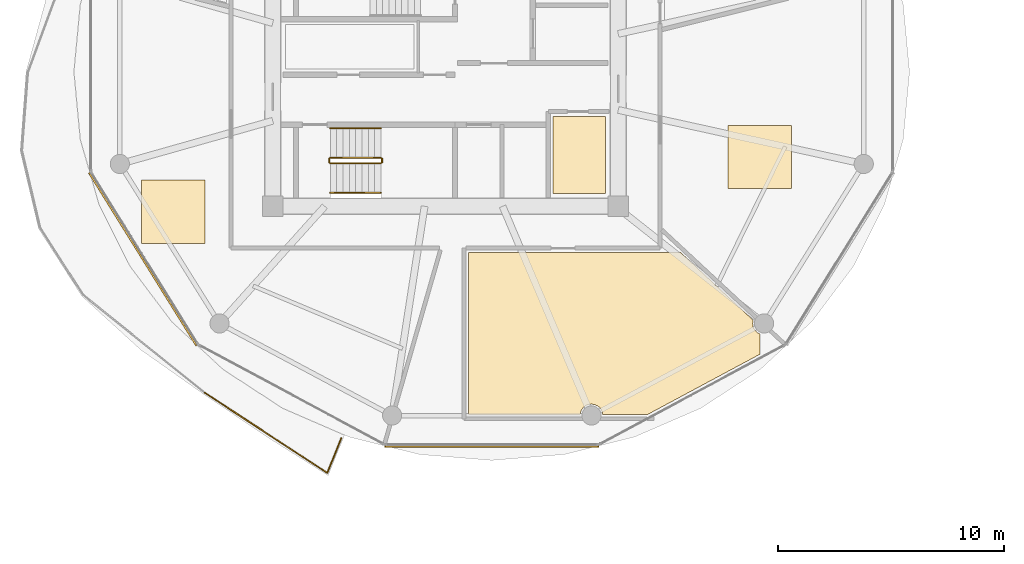
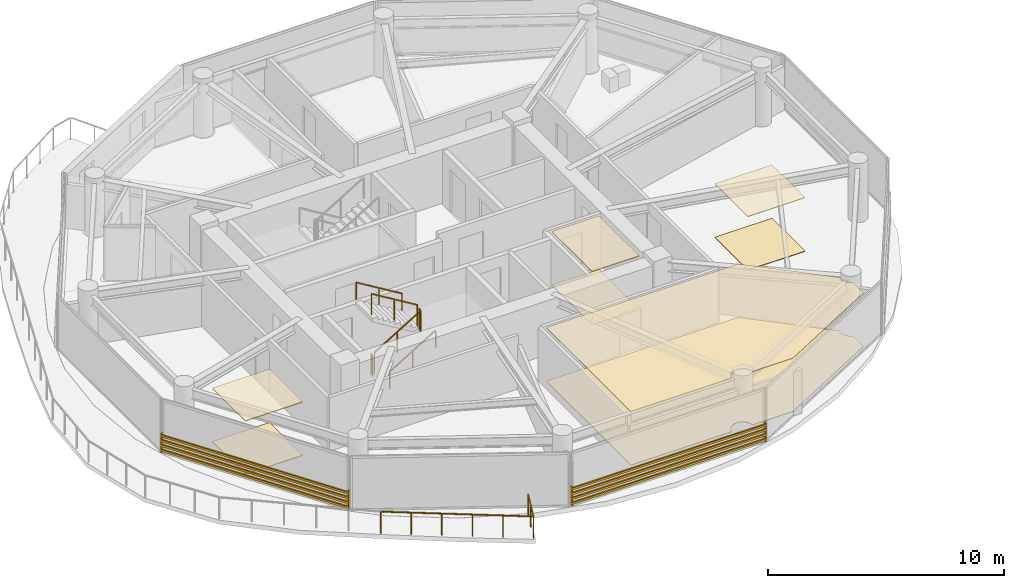
# One storey, part 19 of 25: 8 coverings, 7 railings, 2 shading devices.
"""IFC4 building model written with IfcOpenShell, lengths in metres."""

from ifc_helpers import new_model, si_unit, direction, frame, origin, origin_2d, place, context, subcontext, project, spatial, polyline, rectangle, outline, extrude, source, transform, mapped, material, layer, layer_set, type_object, type_shapes, element, save


model = new_model("IFC4")

# Units and contexts
model_context = context("Model", 3, precision=1e-05, world=origin(), true_north=direction((0.0, 1.0)))
body_context = subcontext(model_context, "Body", "Model", "MODEL_VIEW")
ifc_project = project(units=[si_unit("LENGTHUNIT", "METRE"), si_unit("AREAUNIT", "SQUARE_METRE"), si_unit("VOLUMEUNIT", "CUBIC_METRE"), si_unit("PLANEANGLEUNIT", "RADIAN"), si_unit("MASSUNIT", "GRAM", prefix="KILO")], contexts=[model_context])

# Site, building, storey
site_placement = place(None, origin())
site = spatial("IfcSite", under=ifc_project, at=site_placement, CompositionType="ELEMENT")
building_placement = place(site_placement, origin())
building = spatial("IfcBuilding", under=site, at=building_placement, Name="Norrkilde Senior Care Towers", CompositionType="ELEMENT")
storey_placement = place(building_placement, frame((0.0, 0.0, 99.300048828125)))
storey = spatial("IfcBuildingStorey", under=building, at=storey_placement, Name="L30", CompositionType="ELEMENT", Elevation=99.300048828125)

# Coverings
ifc_material_1 = material(Name="Nordic Ash Timber", Category="wood")
ifc_layer_1 = layer(ifc_material_1, 0.044921875)
ifc_layer_set_1 = layer_set([ifc_layer_1], Name="Nordic Ash Timber")
covering_type_1 = type_object("IfcCoveringType", Name="Acoustic Ash Timber Slatted Ceiling 45", PredefinedType="CEILING", material=ifc_layer_set_1)
covering_1_placement = place(storey_placement, frame((0.0, 0.0, 2.744873046875)))
element("IfcCovering", 1, at=covering_1_placement, inside=storey, type_object=covering_type_1, Name="L30 Suspended Ceiling 0246", PredefinedType="CEILING", context=body_context, shape_type="SweptSolid", body=[
    extrude(outline(polyline([(-23.22998046875, -5.3798828125), (-23.22998046875, -1.969970703125), (-20.919921875, -1.969970703125), (-20.919921875, -5.3798828125), (-23.22998046875, -5.3798828125)])), origin(), (0.0, 0.0, 1.0), 0.045166015625),
])
covering_2_placement = place(storey_placement, frame((0.0, 0.0, 2.744873046875)))
element("IfcCovering", 2, at=covering_2_placement, inside=storey, type_object=covering_type_1, Name="L30 Suspended Ceiling 0249", PredefinedType="CEILING", context=body_context, shape_type="SweptSolid", body=[
    extrude(outline(polyline([(-19.053466796875, -15.169921875), (-21.037841796875, -15.169921875), (-21.04931640625, -15.08251953125), (-21.099853515625, -14.9609375), (-21.179931640625, -14.856201171875), (-21.28466796875, -14.77587890625), (-21.406494140625, -14.7255859375), (-21.537109375, -14.708251953125), (-21.667724609375, -14.7255859375), (-21.78955078125, -14.77587890625), (-21.894287109375, -14.856201171875), (-21.974365234375, -14.9609375), (-22.02490234375, -15.08251953125), (-22.036376953125, -15.169921875), (-26.97998046875, -15.169921875), (-26.97998046875, -8.0), (-17.579345703125, -8.0), (-14.377685546875, -10.9970703125), (-14.381591796875, -11.00634765625), (-14.39892578125, -11.136962890625), (-14.381591796875, -11.267578125), (-14.3310546875, -11.389404296875), (-14.2509765625, -11.494140625), (-14.146240234375, -11.57421875), (-14.070068359375, -11.60595703125), (-14.070068359375, -12.496826171875), (-19.053466796875, -15.169921875)])), origin(), (0.0, 0.0, 1.0), 0.045166015625),
])
covering_3_placement = place(storey_placement, frame((0.0, 0.0, 2.744873046875)))
element("IfcCovering", 3, at=covering_3_placement, inside=storey, type_object=covering_type_1, Name="L30 Suspended Ceiling 0252", PredefinedType="CEILING", context=body_context, shape_type="SweptSolid", body=[
    extrude(outline(polyline([(-41.458740234375, -7.5908203125), (-41.458740234375, -4.790771484375), (-38.65869140625, -4.790771484375), (-38.65869140625, -7.5908203125), (-41.458740234375, -7.5908203125)])), origin(), (0.0, 0.0, 1.0), 0.045166015625),
])

# Railing
ifc_material_2 = material(Name="Anodised Aluminium", Category="aluminium")
railing_type_1 = type_object("IfcRailingType", Name="Balcony Swirl Ribbon Guardrail 1150", PredefinedType="GUARDRAIL", material=ifc_material_2)
railing_1_placement = place(storey_placement, frame((-32.609375, -16.21484375, 0.0)))
element("IfcRailing", 4, at=railing_1_placement, inside=storey, type_object=railing_type_1, Name="L30 Perimeter Safety Guard 04", PredefinedType="GUARDRAIL", context=body_context, shape_type="SweptSolid", body=[
    extrude(rectangle(XDim=0.048095703125, YDim=0.048095703125, at=origin_2d()), frame((0.0, 0.0, 1.1259765625), z_axis=(-0.37572217576, -0.926732348978, 0.0), x_axis=(0.926732348978, -0.37572217576, 0.0)), (0.0, 0.0, 1.0), 1.619384765625),
    extrude(rectangle(XDim=0.048095703125, YDim=0.048095703125, at=origin_2d()), frame((-0.657958984375, -1.51611328125, 1.1259765625), z_axis=(-0.837198648606, 0.546898914583, 0.0), x_axis=(-0.546898914583, -0.837198648606, 0.0)), (0.0, 0.0, 1.0), 6.435546875),
    extrude(rectangle(XDim=0.0419921875, YDim=0.0419921875, at=origin_2d()), origin(), (0.0, 0.0, 1.0), 1.099853515625),
    extrude(rectangle(XDim=0.0419921875, YDim=0.0419921875, at=origin_2d()), frame((-0.31201171875, -0.769287109375, 0.0)), (0.0, 0.0, 1.0), 1.099853515625),
    extrude(rectangle(XDim=0.0419921875, YDim=0.0419921875, at=origin_2d()), frame((-0.623779296875, -1.53857421875, 0.0)), (0.0, 0.0, 1.0), 1.099853515625),
    extrude(rectangle(XDim=0.0419921875, YDim=0.0419921875, at=origin_2d()), frame((-1.708251953125, -0.830078125, 0.0)), (0.0, 0.0, 1.0), 1.099853515625),
    extrude(rectangle(XDim=0.0419921875, YDim=0.0419921875, at=origin_2d()), frame((-2.792724609375, -0.121826171875, 0.0)), (0.0, 0.0, 1.0), 1.099853515625),
    extrude(rectangle(XDim=0.0419921875, YDim=0.0419921875, at=origin_2d()), frame((-3.876953125, 0.586669921875, 0.0)), (0.0, 0.0, 1.0), 1.099853515625),
    extrude(rectangle(XDim=0.0419921875, YDim=0.0419921875, at=origin_2d()), frame((-4.96142578125, 1.294921875, 0.0)), (0.0, 0.0, 1.0), 1.099853515625),
    extrude(rectangle(XDim=0.0419921875, YDim=0.0419921875, at=origin_2d()), frame((-6.0458984375, 2.00341796875, 0.0)), (0.0, 0.0, 1.0), 1.099853515625),
])

# Coverings
ifc_material_3 = material(Name="Gypsum Acoustic Board")
ifc_layer_2 = layer(ifc_material_3, 0.030029296875)
ifc_layer_set_2 = layer_set([ifc_layer_2], Name="Gypsum Acoustic Board")
covering_type_2 = type_object("IfcCoveringType", Name="Medical Cleanable Gypsum Ceiling 30", PredefinedType="CEILING", material=ifc_layer_set_2)
covering_4_placement = place(storey_placement, frame((0.0, 0.0, 2.760009765625)))
element("IfcCovering", 5, at=covering_4_placement, inside=storey, type_object=covering_type_2, Name="L30 Suspended Ceiling 0253", PredefinedType="CEILING", context=body_context, shape_type="SweptSolid", body=[
    extrude(outline(polyline([(-15.489013671875, -5.171630859375), (-15.489013671875, -2.37158203125), (-12.689208984375, -2.37158203125), (-12.689208984375, -5.171630859375), (-15.489013671875, -5.171630859375)])), origin(), (0.0, 0.0, 1.0), 0.030029296875),
])
ifc_material_4 = material(Name="Slip-Resistant Porcelain Stone", Category="masonry")
ifc_layer_3 = layer(ifc_material_4, 0.02490234375)
ifc_layer_set_3 = layer_set([ifc_layer_3], Name="Slip-Resistant Porcelain Stone")
covering_type_3 = type_object("IfcCoveringType", Name="Slip-Resistant Porcelain Flooring 25", PredefinedType="FLOORING", material=ifc_layer_set_3)
covering_5_placement = place(storey_placement, origin())
element("IfcCovering", 6, at=covering_5_placement, inside=storey, type_object=covering_type_3, Name="L30 Floor Finish 0246", PredefinedType="FLOORING", context=body_context, shape_type="SweptSolid", body=[
    extrude(outline(polyline([(-23.22998046875, -5.3798828125), (-23.22998046875, -1.969970703125), (-20.919921875, -1.969970703125), (-20.919921875, -5.3798828125), (-23.22998046875, -5.3798828125)])), origin(), (0.0, 0.0, 1.0), 0.02490234375),
])
covering_6_placement = place(storey_placement, origin())
element("IfcCovering", 7, at=covering_6_placement, inside=storey, type_object=covering_type_3, Name="L30 Floor Finish 0249", PredefinedType="FLOORING", context=body_context, shape_type="SweptSolid", body=[
    extrude(outline(polyline([(-19.053466796875, -15.169921875), (-21.037841796875, -15.169921875), (-21.04931640625, -15.08251953125), (-21.099853515625, -14.9609375), (-21.179931640625, -14.856201171875), (-21.28466796875, -14.77587890625), (-21.406494140625, -14.7255859375), (-21.537109375, -14.708251953125), (-21.667724609375, -14.7255859375), (-21.78955078125, -14.77587890625), (-21.894287109375, -14.856201171875), (-21.974365234375, -14.9609375), (-22.02490234375, -15.08251953125), (-22.036376953125, -15.169921875), (-26.97998046875, -15.169921875), (-26.97998046875, -8.0), (-17.579345703125, -8.0), (-14.377685546875, -10.9970703125), (-14.381591796875, -11.00634765625), (-14.39892578125, -11.136962890625), (-14.381591796875, -11.267578125), (-14.3310546875, -11.389404296875), (-14.2509765625, -11.494140625), (-14.146240234375, -11.57421875), (-14.070068359375, -11.60595703125), (-14.070068359375, -12.496826171875), (-19.053466796875, -15.169921875)])), origin(), (0.0, 0.0, 1.0), 0.02490234375),
])
covering_7_placement = place(storey_placement, origin())
element("IfcCovering", 8, at=covering_7_placement, inside=storey, type_object=covering_type_3, Name="L30 Floor Finish 0252", PredefinedType="FLOORING", context=body_context, shape_type="SweptSolid", body=[
    extrude(outline(polyline([(-41.458740234375, -7.5908203125), (-41.458740234375, -4.790771484375), (-38.65869140625, -4.790771484375), (-38.65869140625, -7.5908203125), (-41.458740234375, -7.5908203125)])), origin(), (0.0, 0.0, 1.0), 0.02490234375),
])
covering_8_placement = place(storey_placement, origin())
element("IfcCovering", 9, at=covering_8_placement, inside=storey, type_object=covering_type_3, Name="L30 Floor Finish 0253", PredefinedType="FLOORING", context=body_context, shape_type="SweptSolid", body=[
    extrude(outline(polyline([(-15.489013671875, -5.171630859375), (-15.489013671875, -2.37158203125), (-12.689208984375, -2.37158203125), (-12.689208984375, -5.171630859375), (-15.489013671875, -5.171630859375)])), origin(), (0.0, 0.0, 1.0), 0.02490234375),
])

# Railings
ifc_material_5 = material(Name="Stainless Steel", Category="steel")
railing_type_2 = type_object("IfcRailingType", Name="Stair and Terrace Guardrail 1100", PredefinedType="GUARDRAIL", material=ifc_material_5)
railing_2_placement = place(storey_placement, frame((-33.10009765625, -4.050048828125, 0.16943359375)))
element("IfcRailing", 10, at=railing_2_placement, inside=storey, type_object=railing_type_2, Name="L30 ST-W2 stair guard 1", PredefinedType="GUARDRAIL", context=body_context, shape_type="SweptSolid", body=[
    extrude(rectangle(XDim=0.048095703125, YDim=0.048095703125, at=origin_2d()), frame((0.0, 0.0, 1.076171875), z_axis=(0.855553338991, 0.0, 0.51771467445), x_axis=(0.0, 1.0, 0.0)), (0.0, 0.0, 1.0), 2.6181640625),
    extrude(rectangle(XDim=0.0419921875, YDim=0.0419921875, at=origin_2d()), origin(), (0.0, 0.0, 1.0), 1.050048828125),
    extrude(rectangle(XDim=0.0419921875, YDim=0.0419921875, at=origin_2d()), frame((1.1201171875, 0.0, 0.677734375)), (0.0, 0.0, 1.0), 1.050048828125),
    extrude(rectangle(XDim=0.0419921875, YDim=0.0419921875, at=origin_2d()), frame((2.239990234375, 0.0, 1.35546875)), (0.0, 0.0, 1.0), 1.050048828125),
])
railing_3_placement = place(storey_placement, frame((-30.81005859375, -4.0, 1.52490234375)))
element("IfcRailing", 11, at=railing_3_placement, inside=storey, type_object=railing_type_2, Name="L30 ST-W2 stair guard 2", PredefinedType="GUARDRAIL", context=body_context, shape_type="SweptSolid", body=[
    extrude(rectangle(XDim=0.048095703125, YDim=0.048095703125, at=origin_2d()), frame((0.0, 0.0, 1.076171875), z_axis=(0.0, 1.0, 0.0), x_axis=(-1.0, 0.0, 0.0)), (0.0, 0.0, 1.0), 0.14990234375),
    extrude(rectangle(XDim=0.0419921875, YDim=0.0419921875, at=origin_2d()), origin(), (0.0, 0.0, 1.0), 1.050048828125),
    extrude(rectangle(XDim=0.0419921875, YDim=0.0419921875, at=origin_2d()), frame((0.0, 0.14990234375, 0.0)), (0.0, 0.0, 1.0), 1.050048828125),
])
railing_4_placement = place(storey_placement, frame((-30.860107421875, -3.800048828125, 1.6943359375)))
element("IfcRailing", 12, at=railing_4_placement, inside=storey, type_object=railing_type_2, Name="L30 ST-W2 stair guard 3", PredefinedType="GUARDRAIL", context=body_context, shape_type="SweptSolid", body=[
    extrude(rectangle(XDim=0.048095703125, YDim=0.048095703125, at=origin_2d()), frame((0.0, 0.0, 1.076171875), z_axis=(-0.855512035549, 0.0, 0.517782924622), x_axis=(0.0, -1.0, 0.0)), (0.0, 0.0, 1.0), 2.618408203125),
    extrude(rectangle(XDim=0.0419921875, YDim=0.0419921875, at=origin_2d()), origin(), (0.0, 0.0, 1.0), 1.050048828125),
    extrude(rectangle(XDim=0.0419921875, YDim=0.0419921875, at=origin_2d()), frame((-1.1201171875, 0.0, 0.677734375)), (0.0, 0.0, 1.0), 1.050048828125),
    extrude(rectangle(XDim=0.0419921875, YDim=0.0419921875, at=origin_2d()), frame((-2.239990234375, 0.0, 1.355712890625)), (0.0, 0.0, 1.0), 1.050048828125),
])
railing_5_placement = place(storey_placement, frame((-33.14990234375, -4.0, 0.0)))
element("IfcRailing", 13, at=railing_5_placement, inside=storey, type_object=railing_type_2, Name="L30 ST-W2 stair guard 4", PredefinedType="GUARDRAIL", context=body_context, shape_type="SweptSolid", body=[
    extrude(rectangle(XDim=0.048095703125, YDim=0.048095703125, at=origin_2d()), frame((0.0, 0.0, 1.076171875), z_axis=(0.0, 1.0, 0.0), x_axis=(-1.0, 0.0, 0.0)), (0.0, 0.0, 1.0), 0.14990234375),
    extrude(rectangle(XDim=0.0419921875, YDim=0.0419921875, at=origin_2d()), origin(), (0.0, 0.0, 1.0), 1.050048828125),
    extrude(rectangle(XDim=0.0419921875, YDim=0.0419921875, at=origin_2d()), frame((0.0, 0.14990234375, 0.0)), (0.0, 0.0, 1.0), 1.050048828125),
])
railing_type_3 = type_object("IfcRailingType", Name="Wall and Stair Handrail 900", PredefinedType="HANDRAIL", material=ifc_material_1)
railing_6_placement = place(storey_placement, frame((-33.10009765625, -5.35009765625, 0.16943359375)))
element("IfcRailing", 14, at=railing_6_placement, inside=storey, type_object=railing_type_3, Name="L30 ST-W2 stair handrail 1", PredefinedType="HANDRAIL", context=body_context, shape_type="SweptSolid", body=[
    extrude(rectangle(XDim=0.048095703125, YDim=0.048095703125, at=origin_2d()), frame((0.0, 0.0, 0.8759765625), z_axis=(0.855553338991, 0.0, 0.51771467445), x_axis=(0.0, 1.0, 0.0)), (0.0, 0.0, 1.0), 2.6181640625),
    extrude(rectangle(XDim=0.0419921875, YDim=0.0419921875, at=origin_2d()), origin(), (0.0, 0.0, 1.0), 0.849853515625),
    extrude(rectangle(XDim=0.0419921875, YDim=0.0419921875, at=origin_2d()), frame((1.1201171875, 0.0, 0.677734375)), (0.0, 0.0, 1.0), 0.849853515625),
    extrude(rectangle(XDim=0.0419921875, YDim=0.0419921875, at=origin_2d()), frame((2.239990234375, 0.0, 1.35546875)), (0.0, 0.0, 1.0), 0.849853515625),
])
railing_7_placement = place(storey_placement, frame((-30.860107421875, -2.5, 1.6943359375)))
element("IfcRailing", 15, at=railing_7_placement, inside=storey, type_object=railing_type_3, Name="L30 ST-W2 stair handrail 2", PredefinedType="HANDRAIL", context=body_context, shape_type="SweptSolid", body=[
    extrude(rectangle(XDim=0.048095703125, YDim=0.048095703125, at=origin_2d()), frame((0.0, 0.0, 0.8759765625), z_axis=(-0.855512035549, 0.0, 0.517782924622), x_axis=(0.0, -1.0, 0.0)), (0.0, 0.0, 1.0), 2.618408203125),
    extrude(rectangle(XDim=0.0419921875, YDim=0.0419921875, at=origin_2d()), origin(), (0.0, 0.0, 1.0), 0.849853515625),
    extrude(rectangle(XDim=0.0419921875, YDim=0.0419921875, at=origin_2d()), frame((-1.1201171875, 0.0, 0.677734375)), (0.0, 0.0, 1.0), 0.849853515625),
    extrude(rectangle(XDim=0.0419921875, YDim=0.0419921875, at=origin_2d()), frame((-2.239990234375, 0.0, 1.355712890625)), (0.0, 0.0, 1.0), 0.849853515625),
])

# Shading devices
ifc_material_6 = material(Name="Architectural Terracotta", Category="masonry")
shading_device_type = type_object("IfcShadingDeviceType", Name="Horizontal Terracotta Baguette Rack", PredefinedType="USERDEFINED", material=ifc_material_6)
shared_shape_1 = source(origin(), body_context, "Body", "SweptSolid", [
    extrude(rectangle(XDim=0.070068359375, YDim=0.110107421875, at=origin_2d()), frame((0.0, 0.090087890625, 0.125), z_axis=(1.0, 0.0, 0.0), x_axis=(0.0, 1.0, 0.0)), (0.0, 0.0, 1.0), 9.01416015625),
    extrude(rectangle(XDim=0.070068359375, YDim=0.110107421875, at=origin_2d()), frame((0.0, 0.090087890625, 0.375), z_axis=(1.0, 0.0, 0.0), x_axis=(0.0, 1.0, 0.0)), (0.0, 0.0, 1.0), 9.01416015625),
    extrude(rectangle(XDim=0.070068359375, YDim=0.110107421875, at=origin_2d()), frame((0.0, 0.090087890625, 0.625), z_axis=(1.0, 0.0, 0.0), x_axis=(0.0, 1.0, 0.0)), (0.0, 0.0, 1.0), 9.01416015625),
    extrude(rectangle(XDim=0.070068359375, YDim=0.110107421875, at=origin_2d()), frame((0.0, 0.090087890625, 0.875), z_axis=(1.0, 0.0, 0.0), x_axis=(0.0, 1.0, 0.0)), (0.0, 0.0, 1.0), 9.01416015625),
    extrude(rectangle(XDim=0.050048828125, YDim=0.1552734375, at=origin_2d()), frame((0.02490234375, 0.047607421875, 0.0)), (0.0, 0.0, 1.0), 1.0),
    extrude(rectangle(XDim=0.050048828125, YDim=0.1552734375, at=origin_2d()), frame((8.9892578125, 0.047607421875, 0.0)), (0.0, 0.0, 1.0), 1.0),
])
shading_device_1_placement = place(storey_placement, frame((-38.946533203125, -12.077392578125, 0.079833984375), z_axis=(0.0, 0.0, 1.0), x_axis=(-0.527734142246, 0.849412274525, 0.0)))
element("IfcShadingDevice", 16, at=shading_device_1_placement, inside=storey, type_object=shading_device_type, Name="L30 Drum W Terracotta Baguette Screen 06", ObjectType="BAGUETTE", PredefinedType="USERDEFINED", context=body_context, shape_type="MappedRepresentation", body=[
    mapped(shared_shape_1, transform((0.0, 0.0, 0.0), x_axis=(1.0, 0.0, 0.0), y_axis=(0.0, 1.0, 0.0), z_axis=(0.0, 0.0, 1.0), scale=1.0)),
])
shared_shape_2 = source(origin(), body_context, "Body", "SweptSolid", [
    extrude(rectangle(XDim=0.070068359375, YDim=0.110107421875, at=origin_2d()), frame((0.0, 0.090087890625, 0.125), z_axis=(1.0, 0.0, 0.0), x_axis=(0.0, 1.0, 0.0)), (0.0, 0.0, 1.0), 9.51416015625),
    extrude(rectangle(XDim=0.070068359375, YDim=0.110107421875, at=origin_2d()), frame((0.0, 0.090087890625, 0.375), z_axis=(1.0, 0.0, 0.0), x_axis=(0.0, 1.0, 0.0)), (0.0, 0.0, 1.0), 9.51416015625),
    extrude(rectangle(XDim=0.070068359375, YDim=0.110107421875, at=origin_2d()), frame((0.0, 0.090087890625, 0.625), z_axis=(1.0, 0.0, 0.0), x_axis=(0.0, 1.0, 0.0)), (0.0, 0.0, 1.0), 9.51416015625),
    extrude(rectangle(XDim=0.070068359375, YDim=0.110107421875, at=origin_2d()), frame((0.0, 0.090087890625, 0.875), z_axis=(1.0, 0.0, 0.0), x_axis=(0.0, 1.0, 0.0)), (0.0, 0.0, 1.0), 9.51416015625),
    extrude(rectangle(XDim=0.050048828125, YDim=0.1552734375, at=origin_2d()), frame((0.02490234375, 0.047607421875, 0.0)), (0.0, 0.0, 1.0), 1.0),
    extrude(rectangle(XDim=0.050048828125, YDim=0.1552734375, at=origin_2d()), frame((9.4892578125, 0.047607421875, 0.0)), (0.0, 0.0, 1.0), 1.0),
])
type_shapes(shading_device_type, [shared_shape_1, shared_shape_2])
shading_device_2_placement = place(storey_placement, frame((-21.19287109375, -16.498046875, 0.079833984375), z_axis=(0.0, 0.0, 1.0), x_axis=(-1.0, 0.0, 0.0)))
element("IfcShadingDevice", 17, at=shading_device_2_placement, inside=storey, type_object=shading_device_type, Name="L30 Drum W Terracotta Baguette Screen 08", ObjectType="BAGUETTE", PredefinedType="USERDEFINED", context=body_context, shape_type="MappedRepresentation", body=[
    mapped(shared_shape_2, transform((0.0, 0.0, 0.0), x_axis=(1.0, 0.0, 0.0), y_axis=(0.0, 1.0, 0.0), z_axis=(0.0, 0.0, 1.0), scale=1.0)),
])

save(model, "model.ifc")
